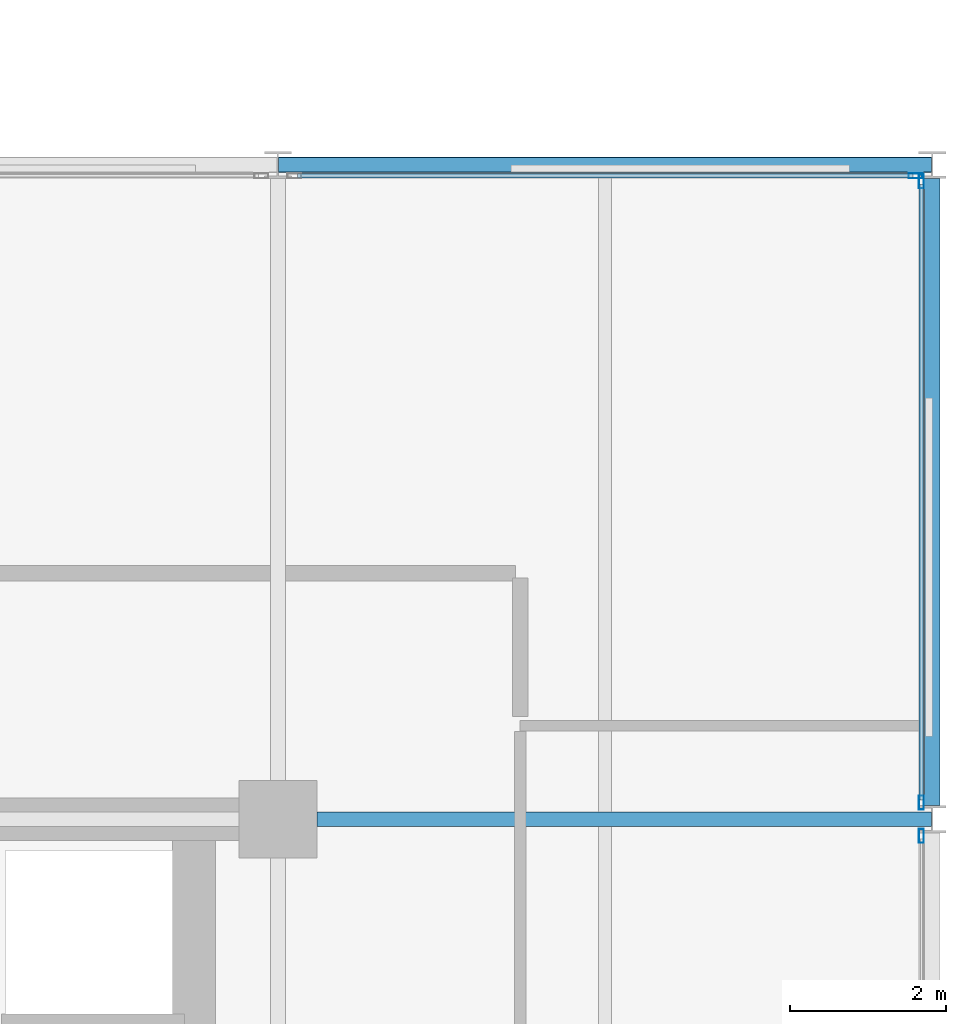
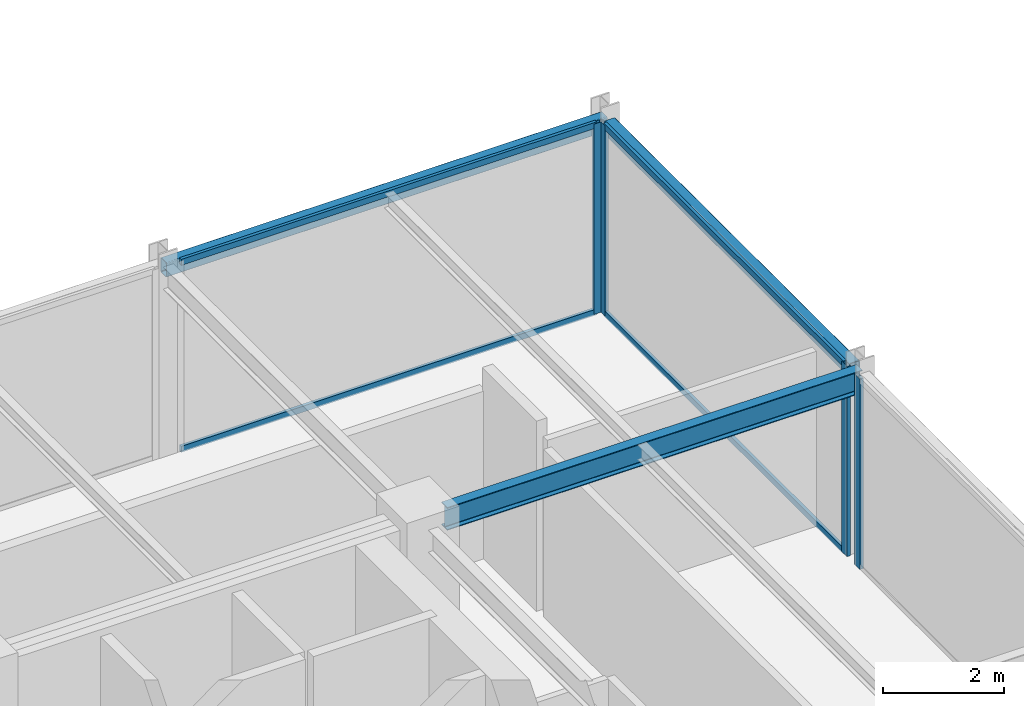
# One storey, part 16 of 29: 8 members, 3 beams, 3 elements without a shape of their own.
"""IFC4 building model written with IfcOpenShell, lengths in metres."""

from ifc_helpers import new_model, si_unit, direction, frame, origin, origin_2d, place, context, subcontext, project, spatial, hollow_rectangle, i_section, extrude, material, layer, layer_set, material_profile, profile_set, type_object, element, aggregate, save


model = new_model("IFC4")

# Units and contexts
model_context = context("Model", 3, precision=1e-05, world=origin(), true_north=direction((0.0, 1.0)))
body_context = subcontext(model_context, "Body", "Model", "MODEL_VIEW")
ifc_project = project(units=[si_unit("LENGTHUNIT", "METRE"), si_unit("AREAUNIT", "SQUARE_METRE"), si_unit("VOLUMEUNIT", "CUBIC_METRE"), si_unit("PLANEANGLEUNIT", "RADIAN"), si_unit("MASSUNIT", "GRAM", prefix="KILO")], contexts=[model_context])

# Site, building, storey
site_placement = place(None, origin())
site = spatial("IfcSite", under=ifc_project, at=site_placement, CompositionType="ELEMENT")
building_placement = place(site_placement, origin())
building = spatial("IfcBuilding", under=site, at=building_placement, Name="Nerrivon Quay Data Exchange", CompositionType="ELEMENT")
storey_placement = place(building_placement, frame((0.0, 0.0, 175.5)))
storey = spatial("IfcBuildingStorey", under=building, at=storey_placement, Name="L41", CompositionType="ELEMENT", Elevation=175.5)

# Beams
ifc_material_1 = material(Name="Steel Grade 350", Category="steel")
ifc_material_profile_1 = material_profile(ifc_material_1, i_section(OverallWidth=0.19091796875, OverallDepth=0.4599609375, WebThickness=0.010009765625, FlangeThickness=0.01611328125, FilletRadius=0.011474609375, at=origin_2d()), Name="460UB82.1")
ifc_profile_set_1 = profile_set([ifc_material_profile_1], Name="Steel Grade 350")
beam_type_1 = type_object("IfcBeamType", Name="BM-G5-460UB82", PredefinedType="BEAM", material=ifc_profile_set_1)
beam_1_placement = place(storey_placement, frame((34.10009765625, 16.800048828125, 3.594970703125), z_axis=(1.0, 0.0, 0.0), x_axis=(0.0, 1.0, 0.0)))
element("IfcBeam", 1, at=beam_1_placement, inside=storey, type_object=beam_type_1, Name="L41 EW Girder Y=16.8 (33.6..42.0)", PredefinedType="BEAM", context=body_context, shape_type="SweptSolid", body=[
    extrude(i_section(OverallWidth=0.19091796875, OverallDepth=0.4599609375, WebThickness=0.010009765625, FlangeThickness=0.01611328125, FilletRadius=0.011474609375, at=origin_2d()), origin(), (0.0, 0.0, 1.0), 7.889892578125),
])
ifc_material_2 = material(Name="Steel Grade C350L0 (350 MPa)", Category="steel")
ifc_material_profile_2 = material_profile(ifc_material_2, hollow_rectangle(XDim=0.199951171875, YDim=0.300048828125, WallThickness=0.012451171875, InnerFilletRadius=0.018798828125, OuterFilletRadius=0.03125, at=origin_2d()), Name="300x200x12.5RHS")
ifc_profile_set_2 = profile_set([ifc_material_profile_2], Name="Steel Grade C350L0 (350 MPa)")
beam_type_2 = type_object("IfcBeamType", Name="BM-SP3-300x200RHS", PredefinedType="SPANDREL", material=ifc_profile_set_2)
beam_2_placement = place(storey_placement, frame((33.610107421875, 25.199951171875, 3.675048828125), z_axis=(1.0, 0.0, 0.0), x_axis=(0.0, 1.0, 0.0)))
element("IfcBeam", 2, at=beam_2_placement, inside=storey, type_object=beam_type_2, Name="L41 EW Girder Y=25.2 (33.6..42.0)", PredefinedType="SPANDREL", context=body_context, shape_type="SweptSolid", body=[
    extrude(hollow_rectangle(XDim=0.199951171875, YDim=0.300048828125, WallThickness=0.012451171875, InnerFilletRadius=0.018798828125, OuterFilletRadius=0.03125, at=origin_2d()), origin(), (0.0, 0.0, 1.0), 8.3798828125),
])
beam_3_placement = place(storey_placement, frame((42.0, 16.97509765625, 3.675048828125), z_axis=(0.0, 1.0, 0.0), x_axis=(-1.0, 0.0, 0.0)))
element("IfcBeam", 3, at=beam_3_placement, inside=storey, type_object=beam_type_2, Name="L41 NS Girder X=42.0 (16.8..25.2)", PredefinedType="SPANDREL", context=body_context, shape_type="SweptSolid", body=[
    extrude(hollow_rectangle(XDim=0.199951171875, YDim=0.300048828125, WallThickness=0.012451171875, InnerFilletRadius=0.018798828125, OuterFilletRadius=0.03125, at=origin_2d()), origin(), (0.0, 0.0, 1.0), 8.0498046875),
])

# Curtain wall, member
ifc_material_3 = material(Name="Anodised aluminium 6063-T6", Category="aluminium")
ifc_layer = layer(ifc_material_3, 0.195068359375)
ifc_layer_set = layer_set([ifc_layer], Name="Anodised aluminium 6063-T6")
curtain_wall_type = type_object("IfcCurtainWallType", Name="CW-SYS-06", PredefinedType="NOTDEFINED", material=ifc_layer_set)
curtain_wall_1_placement = place(storey_placement, origin())
curtain_wall_1 = element("IfcCurtainWall", 4, at=curtain_wall_1_placement, inside=storey, type_object=curtain_wall_type, Name="L41 Unitised Curtain Wall 17", PredefinedType="NOTDEFINED")
ifc_material_profile_3 = material_profile(ifc_material_3, hollow_rectangle(XDim=0.06494140625, YDim=0.179931640625, WallThickness=0.00341796875, at=origin_2d()), Name="ALU-MULL-180x65")
ifc_profile_set_3 = profile_set([ifc_material_profile_3], Name="Anodised aluminium 6063-T6")
member_type_1 = type_object("IfcMemberType", Name="CWM-180x65", PredefinedType="MULLION", material=ifc_profile_set_3)
member_1_placement = place(storey_placement, frame((41.78759765625, 25.06005859375, 0.0), z_axis=(0.0, 0.0, 1.0), x_axis=(0.0, 1.0, 0.0)))
member_1 = element("IfcMember", 5, at=member_1_placement, type_object=member_type_1, Name="CW06 mullion 2", PredefinedType="MULLION", context=body_context, shape_type="SweptSolid", body=[
    extrude(hollow_rectangle(XDim=0.06494140625, YDim=0.179931640625, WallThickness=0.00341796875, at=origin_2d()), origin(), (0.0, 0.0, 1.0), 3.824951171875),
])

# Curtain wall, members
curtain_wall_2_placement = place(storey_placement, origin())
curtain_wall_2 = element("IfcCurtainWall", 6, at=curtain_wall_2_placement, inside=storey, type_object=curtain_wall_type, Name="L41 Unitised Curtain Wall 18", PredefinedType="NOTDEFINED")
member_2_placement = place(storey_placement, frame((41.860107421875, 24.987548828125, 0.0), z_axis=(0.0, 0.0, 1.0), x_axis=(1.0, 0.0, 0.0)))
member_2 = element("IfcMember", 7, at=member_2_placement, type_object=member_type_1, Name="CW06 mullion 1", PredefinedType="MULLION", context=body_context, shape_type="SweptSolid", body=[
    extrude(hollow_rectangle(XDim=0.06494140625, YDim=0.179931640625, WallThickness=0.00341796875, at=origin_2d()), origin(), (0.0, 0.0, 1.0), 3.824951171875),
])
member_3_placement = place(storey_placement, frame((41.860107421875, 17.012451171875, 0.0), z_axis=(0.0, 0.0, 1.0), x_axis=(1.0, 0.0, 0.0)))
member_3 = element("IfcMember", 8, at=member_3_placement, type_object=member_type_1, Name="CW06 mullion 2", PredefinedType="MULLION", context=body_context, shape_type="SweptSolid", body=[
    extrude(hollow_rectangle(XDim=0.06494140625, YDim=0.179931640625, WallThickness=0.00341796875, at=origin_2d()), origin(), (0.0, 0.0, 1.0), 3.824951171875),
])

# Curtain wall, member
curtain_wall_3_placement = place(storey_placement, origin())
curtain_wall_3 = element("IfcCurtainWall", 9, at=curtain_wall_3_placement, inside=storey, type_object=curtain_wall_type, Name="L41 Unitised Curtain Wall 19", PredefinedType="NOTDEFINED")
member_4_placement = place(storey_placement, frame((41.860107421875, 16.58740234375, 0.0), z_axis=(0.0, 0.0, 1.0), x_axis=(1.0, 0.0, 0.0)))
member_4 = element("IfcMember", 10, at=member_4_placement, type_object=member_type_1, Name="CW06 mullion 1", PredefinedType="MULLION", context=body_context, shape_type="SweptSolid", body=[
    extrude(hollow_rectangle(XDim=0.06494140625, YDim=0.179931640625, WallThickness=0.00341796875, at=origin_2d()), origin(), (0.0, 0.0, 1.0), 3.824951171875),
])
aggregate(curtain_wall_3, [member_4])

# Member
ifc_material_profile_4 = material_profile(ifc_material_3, hollow_rectangle(XDim=0.06005859375, YDim=0.1201171875, WallThickness=0.003173828125, at=origin_2d()), Name="ALU-TRAN-120x60")
ifc_profile_set_4 = profile_set([ifc_material_profile_4], Name="Anodised aluminium 6063-T6")
member_type_2 = type_object("IfcMemberType", Name="CWT-120x60", PredefinedType="USERDEFINED", material=ifc_profile_set_4)
member_5_placement = place(storey_placement, frame((33.85009765625, 25.06005859375, 0.032470703125), z_axis=(1.0, 0.0, 0.0), x_axis=(0.0, 1.0, 0.0)))
member_5 = element("IfcMember", 11, at=member_5_placement, type_object=member_type_2, Name="CW06 transom 1.1", ObjectType="TRANSOM", PredefinedType="USERDEFINED", context=body_context, shape_type="SweptSolid", body=[
    extrude(hollow_rectangle(XDim=0.06005859375, YDim=0.1201171875, WallThickness=0.003173828125, at=origin_2d()), origin(), (0.0, 0.0, 1.0), 7.89990234375),
])

member_6_placement = place(storey_placement, frame((33.85009765625, 25.06005859375, 3.79248046875), z_axis=(1.0, 0.0, 0.0), x_axis=(0.0, 1.0, 0.0)))
member_6 = element("IfcMember", 12, at=member_6_placement, type_object=member_type_2, Name="CW06 transom 1.2", ObjectType="TRANSOM", PredefinedType="USERDEFINED", context=body_context, shape_type="SweptSolid", body=[
    extrude(hollow_rectangle(XDim=0.06005859375, YDim=0.1201171875, WallThickness=0.003173828125, at=origin_2d()), origin(), (0.0, 0.0, 1.0), 7.89990234375),
])

aggregate(curtain_wall_1, [member_1, member_5, member_6])

member_7_placement = place(storey_placement, frame((41.860107421875, 24.949951171875, 0.032470703125), z_axis=(0.0, -1.0, 0.0), x_axis=(1.0, 0.0, 0.0)))
member_7 = element("IfcMember", 13, at=member_7_placement, type_object=member_type_2, Name="CW06 transom 1.1", ObjectType="TRANSOM", PredefinedType="USERDEFINED", context=body_context, shape_type="SweptSolid", body=[
    extrude(hollow_rectangle(XDim=0.06005859375, YDim=0.1201171875, WallThickness=0.003173828125, at=origin_2d()), origin(), (0.0, 0.0, 1.0), 7.89990234375),
])

member_8_placement = place(storey_placement, frame((41.860107421875, 24.949951171875, 3.79248046875), z_axis=(0.0, -1.0, 0.0), x_axis=(1.0, 0.0, 0.0)))
member_8 = element("IfcMember", 14, at=member_8_placement, type_object=member_type_2, Name="CW06 transom 1.2", ObjectType="TRANSOM", PredefinedType="USERDEFINED", context=body_context, shape_type="SweptSolid", body=[
    extrude(hollow_rectangle(XDim=0.06005859375, YDim=0.1201171875, WallThickness=0.003173828125, at=origin_2d()), origin(), (0.0, 0.0, 1.0), 7.89990234375),
])

aggregate(curtain_wall_2, [member_2, member_3, member_7, member_8])

save(model, "model.ifc")
